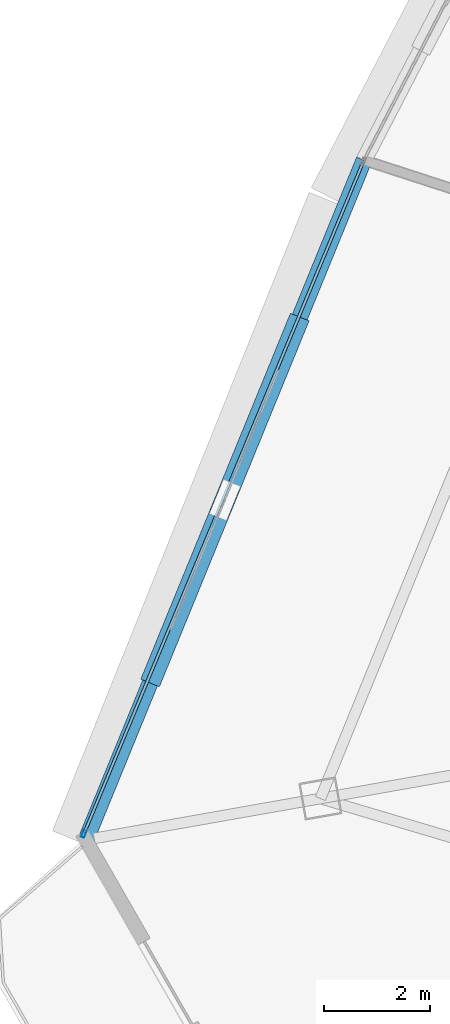
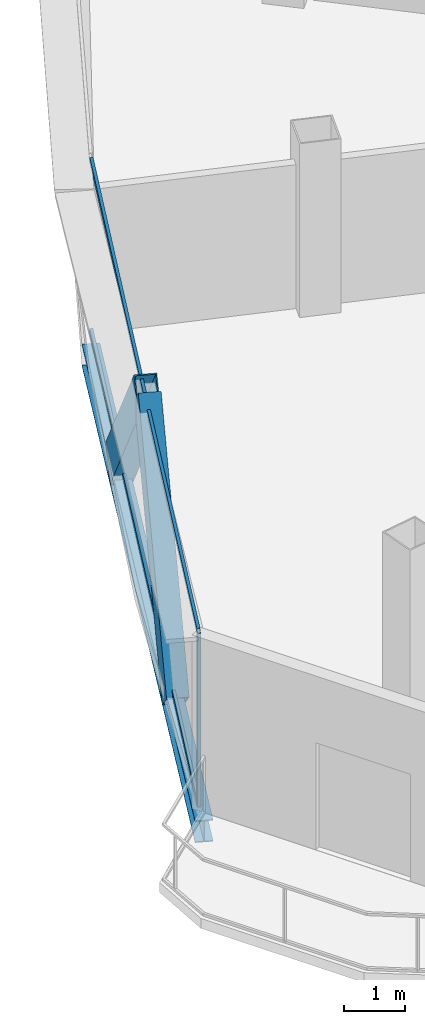
# One storey, part 4 of 33: 5 members, 1 beam, 1 element without a shape of its own.
"""IFC4 building model written with IfcOpenShell, lengths in metres."""

from ifc_helpers import new_model, si_unit, direction, frame, origin, origin_2d, place, context, subcontext, project, spatial, hollow_rectangle, i_section, extrude, source, transform, mapped, material, layer, layer_set, material_profile, profile_set, type_object, element, aggregate, save


model = new_model("IFC4")

# Units and contexts
model_context = context("Model", 3, precision=1e-05, world=origin(), true_north=direction((0.0, 1.0)))
body_context = subcontext(model_context, "Body", "Model", "MODEL_VIEW")
ifc_project = project(units=[si_unit("LENGTHUNIT", "METRE"), si_unit("AREAUNIT", "SQUARE_METRE"), si_unit("VOLUMEUNIT", "CUBIC_METRE"), si_unit("PLANEANGLEUNIT", "RADIAN"), si_unit("MASSUNIT", "GRAM", prefix="KILO"), si_unit("THERMODYNAMICTEMPERATUREUNIT", "KELVIN"), si_unit("POWERUNIT", "WATT")], contexts=[model_context])

# Site, building, storey
site_placement = place(None, origin())
site = spatial("IfcSite", under=ifc_project, at=site_placement, CompositionType="ELEMENT")
building_placement = place(site_placement, origin())
building = spatial("IfcBuilding", under=site, at=building_placement, Name="Yunzhuo Pagoda Commons", CompositionType="ELEMENT")
storey_placement = place(building_placement, frame((0.0, 0.0, 325.510009765625)))
storey = spatial("IfcBuildingStorey", under=building, at=storey_placement, Name="L81", CompositionType="ELEMENT", Elevation=325.510009765625)

# Beam
ifc_material_1 = material(Name="Structural steel Q355B", Category="steel")
ifc_material_profile_1 = material_profile(ifc_material_1, i_section(OverallWidth=0.300048828125, OverallDepth=0.43994140625, WebThickness=0.010986328125, FlangeThickness=0.01806640625, at=origin_2d()), Name="Structural steel Q355B")
ifc_profile_set_1 = profile_set([ifc_material_profile_1], Name="Structural steel Q355B")
beam_type = type_object("IfcBeamType", Name="B-SP2 Beam HM 440x300x11x18", PredefinedType="BEAM", material=ifc_profile_set_1)
shared_shape_1 = source(origin(), body_context, "Body", "SweptSolid", [
    extrude(i_section(OverallWidth=0.300048828125, OverallDepth=0.43994140625, WebThickness=0.010986328125, FlangeThickness=0.01806640625, at=origin_2d()), origin(), (0.0, 0.0, 1.0), 13.80419921875),
])
beam_placement = place(storey_placement, frame((24.348388671875, 41.385009765625, -0.47998046875), z_axis=(-0.378566733914, -0.925573999189, 0.0), x_axis=(0.925573999189, -0.378566733914, 0.0)))
element("IfcBeam", 1, at=beam_placement, inside=storey, type_object=beam_type, Name="L81 facade edge spandrel beam F3.3", PredefinedType="BEAM", context=body_context, shape_type="MappedRepresentation", body=[
    mapped(shared_shape_1, transform((0.0, 0.0, 0.0), scale=1.0)),
])

# Members
ifc_material_profile_2 = material_profile(ifc_material_1, hollow_rectangle(XDim=0.3798828125, YDim=0.719970703125, WallThickness=0.02001953125, at=origin_2d()), Name="Structural steel Q355B")
ifc_profile_set_2 = profile_set([ifc_material_profile_2], Name="Structural steel Q355B")
member_type_1 = type_object("IfcMemberType", Name="M-DL3 Brace BOX 720x380x20", PredefinedType="BRACE", material=ifc_profile_set_2)
shared_shape_2 = source(origin(), body_context, "Body", "SweptSolid", [
    extrude(hollow_rectangle(XDim=0.3798828125, YDim=0.719970703125, WallThickness=0.02001953125, at=origin_2d()), origin(), (0.0, 0.0, 1.0), 5.096435546875),
])
member_1_placement = place(storey_placement, frame((20.428955078125, 31.80224609375, -0.260009765625), z_axis=(0.256383546831, 0.62677920903, 0.735809282384), x_axis=(-0.925560477573, 0.378599791805, 0.0)))
element("IfcMember", 2, at=member_1_placement, inside=storey, type_object=member_type_1, Name="L81 facade diamond brace F3.3R", PredefinedType="BRACE", context=body_context, shape_type="MappedRepresentation", body=[
    mapped(shared_shape_2, transform((0.0, 0.0, 0.0), scale=1.0)),
])
shared_shape_3 = source(origin(), body_context, "Body", "SweptSolid", [
    extrude(hollow_rectangle(XDim=0.3798828125, YDim=0.719970703125, WallThickness=0.02001953125, at=origin_2d()), origin(), (0.0, 0.0, 1.0), 5.09619140625),
])
member_2_placement = place(storey_placement, frame((23.0419921875, 38.190673828125, -0.260009765625), z_axis=(-0.256346487536, -0.626757820302, 0.735840412737), x_axis=(0.925575126988, -0.378563976497, 0.0)))
element("IfcMember", 3, at=member_2_placement, inside=storey, type_object=member_type_1, Name="L81 facade diamond brace F3.3L", PredefinedType="BRACE", context=body_context, shape_type="MappedRepresentation", body=[
    mapped(shared_shape_3, transform((0.0, 0.0, 0.0), scale=1.0)),
])

# Curtain wall, members
ifc_material_2 = material(Name="Anodized aluminium 6063-T6", Category="aluminium")
ifc_layer = layer(ifc_material_2, 0.139892578125)
ifc_layer_set = layer_set([ifc_layer], Name="Anodized aluminium 6063-T6")
curtain_wall_type = type_object("IfcCurtainWallType", Name="CW-HI High-Zone Ribbon Curtain Wall", PredefinedType="NOTDEFINED", material=ifc_layer_set)
curtain_wall_placement = place(storey_placement, origin())
curtain_wall = element("IfcCurtainWall", 4, at=curtain_wall_placement, inside=storey, type_object=curtain_wall_type, Name="L81 curtain wall CW-L81-F3B4", PredefinedType="NOTDEFINED")
ifc_material_profile_3 = material_profile(ifc_material_2, hollow_rectangle(XDim=0.06005859375, YDim=0.139892578125, WallThickness=0.00341796875, at=origin_2d()), Name="Anodized aluminium 6063-T6")
ifc_profile_set_3 = profile_set([ifc_material_profile_3], Name="Anodized aluminium 6063-T6")
member_type_2 = type_object("IfcMemberType", Name="CW-HI-M Mullion RHS 140x60x3.5", PredefinedType="MULLION", material=ifc_profile_set_3)
shared_shape_4 = source(origin(), body_context, "Body", "SweptSolid", [
    extrude(hollow_rectangle(XDim=0.06005859375, YDim=0.139892578125, WallThickness=0.00341796875, at=origin_2d()), origin(), (0.0, 0.0, 1.0), 3.489990234375),
])
member_3_placement = place(storey_placement, frame((19.08349609375, 28.718994140625, 0.0), z_axis=(0.0, 0.0, 1.0), x_axis=(0.923407166951, -0.383821838909, 0.0)))
member_3 = element("IfcMember", 5, at=member_3_placement, type_object=member_type_2, Name="CW mullion 2", PredefinedType="MULLION", context=body_context, shape_type="MappedRepresentation", body=[
    mapped(shared_shape_4, transform((0.0, 0.0, 0.0), scale=1.0)),
])
ifc_material_profile_4 = material_profile(ifc_material_2, hollow_rectangle(XDim=0.054931640625, YDim=0.1201171875, WallThickness=0.00341796875, at=origin_2d()), Name="Anodized aluminium 6063-T6")
ifc_profile_set_4 = profile_set([ifc_material_profile_4], Name="Anodized aluminium 6063-T6")
member_type_3 = type_object("IfcMemberType", Name="CW-HI-T Transom RHS 120x55x3.5", PredefinedType="USERDEFINED", material=ifc_profile_set_4)
shared_shape_5 = source(origin(), body_context, "Body", "SweptSolid", [
    extrude(hollow_rectangle(XDim=0.054931640625, YDim=0.1201171875, WallThickness=0.00341796875, at=origin_2d()), origin(), (0.0, 0.0, 1.0), 13.62646484375),
])
member_4_placement = place(storey_placement, frame((24.3251953125, 41.32958984375, 0.027587890625), z_axis=(-0.383812484242, -0.92341105524, 0.0), x_axis=(0.92341105524, -0.383812484242, 0.0)))
member_4 = element("IfcMember", 6, at=member_4_placement, type_object=member_type_3, Name="CW transom 1.1", ObjectType="TRANSOM", PredefinedType="USERDEFINED", context=body_context, shape_type="MappedRepresentation", body=[
    mapped(shared_shape_5, transform((0.0, 0.0, 0.0), scale=1.0)),
])
member_5_placement = place(storey_placement, frame((24.3251953125, 41.32958984375, 3.46240234375), z_axis=(-0.383812484242, -0.92341105524, 0.0), x_axis=(0.92341105524, -0.383812484242, 0.0)))
member_5 = element("IfcMember", 7, at=member_5_placement, type_object=member_type_3, Name="CW transom 1.2", ObjectType="TRANSOM", PredefinedType="USERDEFINED", context=body_context, shape_type="MappedRepresentation", body=[
    mapped(shared_shape_5, transform((0.0, 0.0, 0.0), scale=1.0)),
])
aggregate(curtain_wall, [member_3, member_4, member_5])

save(model, "model.ifc")
